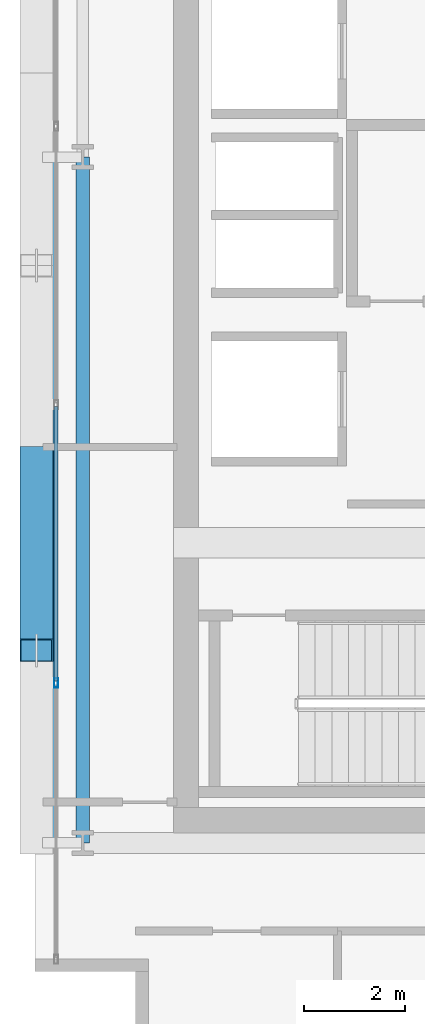
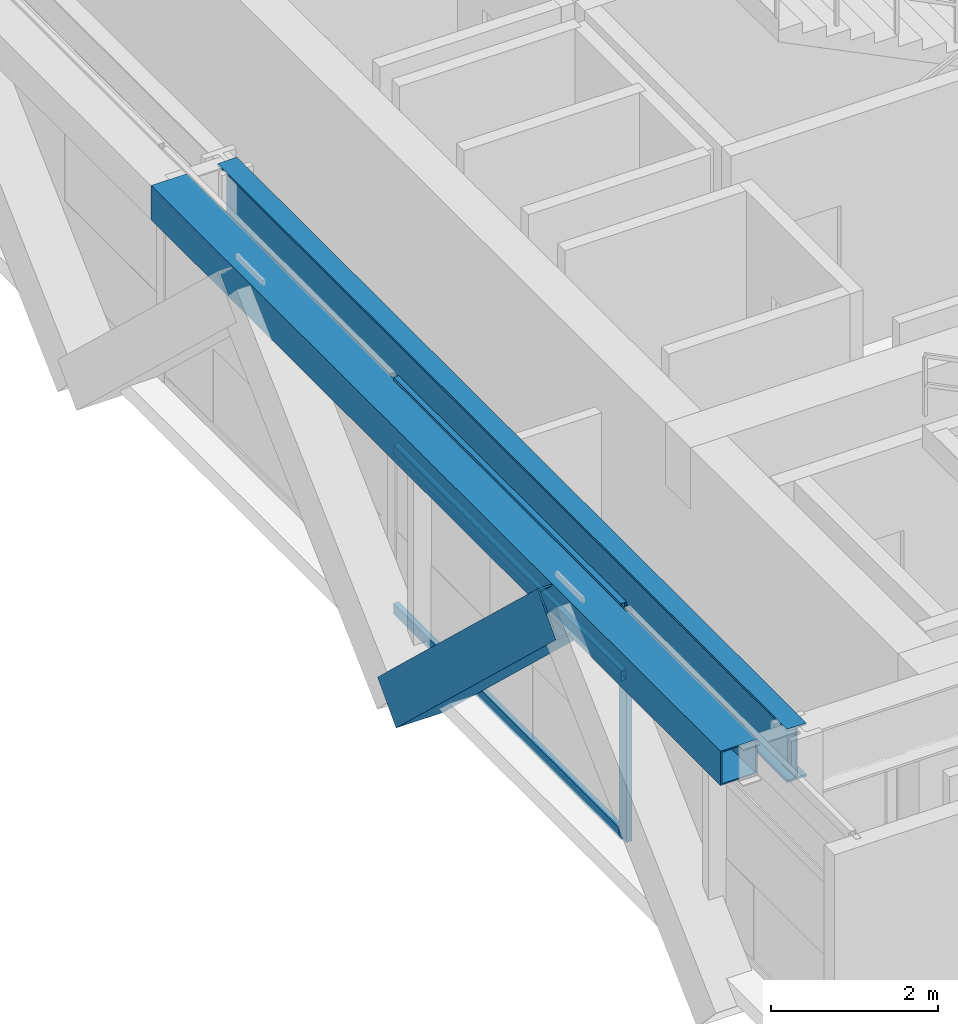
# One storey, part 4 of 31: 5 members, 2 beams, 1 element without a shape of its own.
"""IFC4 building model written with IfcOpenShell, lengths in metres."""

from ifc_helpers import new_model, si_unit, direction, frame, origin, origin_2d, place, context, subcontext, project, spatial, hollow_rectangle, i_section, extrude, source, transform, mapped, material, layer, layer_set, material_profile, profile_set, type_object, element, aggregate, save


model = new_model("IFC4")

# Units and contexts
model_context = context("Model", 3, precision=1e-05, world=origin(), true_north=direction((0.0, 1.0)))
body_context = subcontext(model_context, "Body", "Model", "MODEL_VIEW")
ifc_project = project(units=[si_unit("LENGTHUNIT", "METRE"), si_unit("AREAUNIT", "SQUARE_METRE"), si_unit("VOLUMEUNIT", "CUBIC_METRE"), si_unit("PLANEANGLEUNIT", "RADIAN"), si_unit("MASSUNIT", "GRAM", prefix="KILO")], contexts=[model_context])

# Site, building, storey
site_placement = place(None, origin())
site = spatial("IfcSite", under=ifc_project, at=site_placement, CompositionType="ELEMENT")
building_placement = place(site_placement, origin())
building = spatial("IfcBuilding", under=site, at=building_placement, Name="Ocotamira Hotel", CompositionType="ELEMENT")
storey_placement = place(building_placement, frame((0.0, 0.0, 181.199951171875)))
storey = spatial("IfcBuildingStorey", under=building, at=storey_placement, Name="L45", CompositionType="ELEMENT", Elevation=181.199951171875)

# Beams
ifc_material_1 = material(Name="Steel ASTM A992 Grade 50", Category="steel")
ifc_material_profile_1 = material_profile(ifc_material_1, i_section(OverallWidth=0.26611328125, OverallDepth=0.779052734375, WebThickness=0.0166015625, FlangeThickness=0.030029296875, FilletRadius=0.01806640625, at=origin_2d()), Name="W30X148")
ifc_profile_set_1 = profile_set([ifc_material_profile_1], Name="Steel ASTM A992 Grade 50")
beam_type_1 = type_object("IfcBeamType", Name="BM-GIRD-W30X148", PredefinedType="BEAM", material=ifc_profile_set_1)
shared_shape_1 = source(origin(), body_context, "Body", "SweptSolid", [
    extrude(i_section(OverallWidth=0.26611328125, OverallDepth=0.779052734375, WebThickness=0.0166015625, FlangeThickness=0.030029296875, FilletRadius=0.01806640625, at=origin_2d()), origin(), (0.0, 0.0, 1.0), 13.599853515625),
])
beam_1_placement = place(storey_placement, frame((8.949951171875, 14.550048828125, 2.98046875), z_axis=(0.0, 1.0, 0.0), x_axis=(-1.0, 0.0, 0.0)))
element("IfcBeam", 1, at=beam_1_placement, inside=storey, type_object=beam_type_1, Name="L45 Beam X8.95 Y14.55-28.15", PredefinedType="BEAM", context=body_context, shape_type="MappedRepresentation", body=[
    mapped(shared_shape_1, transform((0.0, 0.0, 0.0), scale=1.0)),
])
ifc_material_2 = material(Name="Steel ASTM A500 Grade C", Category="steel")
ifc_material_profile_2 = material_profile(ifc_material_2, hollow_rectangle(XDim=0.5, YDim=0.5, WallThickness=0.02001953125, at=origin_2d()), Name="HSS500X500X20")
ifc_profile_set_2 = profile_set([ifc_material_profile_2], Name="Steel ASTM A500 Grade C")
beam_type_2 = type_object("IfcBeamType", Name="BM-SPAN-HSS500", PredefinedType="USERDEFINED", material=ifc_profile_set_2)
shared_shape_2 = source(origin(), body_context, "Body", "SweptSolid", [
    extrude(hollow_rectangle(XDim=0.5, YDim=0.5, WallThickness=0.02001953125, at=origin_2d()), origin(), (0.0, 0.0, 1.0), 13.599853515625),
])
beam_2_placement = place(storey_placement, frame((8.14990234375, 14.550048828125, 3.1201171875), z_axis=(0.0, 1.0, 0.0), x_axis=(-1.0, 0.0, 0.0)))
element("IfcBeam", 2, at=beam_2_placement, inside=storey, type_object=beam_type_2, Name="L45 Edge Spandrel W Y14.55-28.15", ObjectType="SPANDREL", PredefinedType="USERDEFINED", context=body_context, shape_type="MappedRepresentation", body=[
    mapped(shared_shape_2, transform((0.0, 0.0, 0.0), scale=1.0)),
])

# Member
ifc_material_3 = material(Name="Pale-metal coated steel ASTM A913 Grade 65", Category="steel")
ifc_material_profile_3 = material_profile(ifc_material_3, hollow_rectangle(XDim=0.64990234375, YDim=0.64990234375, WallThickness=0.02197265625, at=origin_2d()), Name="BOX650X650X22")
ifc_profile_set_3 = profile_set([ifc_material_profile_3], Name="Pale-metal coated steel ASTM A913 Grade 65")
member_type_1 = type_object("IfcMemberType", Name="MEM-EXO-BOX650", PredefinedType="BRACE", material=ifc_profile_set_3)
shared_shape_3 = source(origin(), body_context, "Body", "SweptSolid", [
    extrude(hollow_rectangle(XDim=0.64990234375, YDim=0.64990234375, WallThickness=0.02197265625, at=origin_2d()), origin(), (0.0, 0.0, 1.0), 5.24658203125),
])
member_1_placement = place(storey_placement, frame((8.030029296875, 22.183349609375, -0.47998046875), z_axis=(0.0, -0.727442733726, 0.686168397078), x_axis=(1.0, 0.0, 0.0)))
element("IfcMember", 3, at=member_1_placement, inside=storey, type_object=member_type_1, Name="L45 Exoskeleton Diagrid W0.2", PredefinedType="BRACE", context=body_context, shape_type="MappedRepresentation", body=[
    mapped(shared_shape_3, transform((0.0, 0.0, 0.0), scale=1.0)),
])

# Curtain wall, members
ifc_material_4 = material(Name="Anodised pale-metal aluminium and solar glass", Category="aluminium")
ifc_layer = layer(ifc_material_4, 0.199951171875)
ifc_layer_set = layer_set([ifc_layer], Name="Anodised pale-metal aluminium and solar glass")
curtain_wall_type = type_object("IfcCurtainWallType", Name="CW-SYS4-Z3", PredefinedType="NOTDEFINED", material=ifc_layer_set)
curtain_wall_placement = place(storey_placement, origin())
curtain_wall = element("IfcCurtainWall", 4, at=curtain_wall_placement, inside=storey, type_object=curtain_wall_type, Name="L45 Curtain Wall CW-4 CW-L45-W", PredefinedType="NOTDEFINED")
ifc_material_5 = material(Name="Anodised pale-metal aluminium 6063-T6", Category="aluminium")
ifc_material_profile_4 = material_profile(ifc_material_5, hollow_rectangle(XDim=0.080078125, YDim=0.179931640625, WallThickness=0.006103515625, at=origin_2d()), Name="HSS180X80X6")
ifc_profile_set_4 = profile_set([ifc_material_profile_4], Name="Anodised pale-metal aluminium 6063-T6")
member_type_2 = type_object("IfcMemberType", Name="CWM-180X75", PredefinedType="MULLION", material=ifc_profile_set_4)
shared_shape_4 = source(origin(), body_context, "Body", "SweptSolid", [
    extrude(hollow_rectangle(XDim=0.080078125, YDim=0.179931640625, WallThickness=0.006103515625, at=origin_2d()), origin(), (0.0, 0.0, 1.0), 3.3701171875),
])
member_2_placement = place(storey_placement, frame((8.419921875, 17.719970703125, 0.0), z_axis=(0.0, 0.0, 1.0), x_axis=(-1.0, 0.0, 0.0)))
member_2 = element("IfcMember", 5, at=member_2_placement, type_object=member_type_2, Name="CW-4 mullion 2", PredefinedType="MULLION", context=body_context, shape_type="MappedRepresentation", body=[
    mapped(shared_shape_4, transform((0.0, 0.0, 0.0), scale=1.0)),
])
ifc_material_profile_5 = material_profile(ifc_material_5, hollow_rectangle(XDim=0.074951171875, YDim=0.14990234375, WallThickness=0.006103515625, at=origin_2d()), Name="HSS150X75X6")
ifc_profile_set_5 = profile_set([ifc_material_profile_5], Name="Anodised pale-metal aluminium 6063-T6")
member_type_3 = type_object("IfcMemberType", Name="CWT-150X75", PredefinedType="USERDEFINED", material=ifc_profile_set_5)
shared_shape_5 = source(origin(), body_context, "Body", "SweptSolid", [
    extrude(hollow_rectangle(XDim=0.074951171875, YDim=0.14990234375, WallThickness=0.006103515625, at=origin_2d()), origin(), (0.0, 0.0, 1.0), 5.43994140625),
])
member_3_placement = place(storey_placement, frame((8.419921875, 17.760009765625, 0.03759765625), z_axis=(0.0, 1.0, 0.0), x_axis=(-1.0, 0.0, 0.0)))
member_3 = element("IfcMember", 6, at=member_3_placement, type_object=member_type_3, Name="CW-4 transom 2.1", ObjectType="TRANSOM", PredefinedType="USERDEFINED", context=body_context, shape_type="MappedRepresentation", body=[
    mapped(shared_shape_5, transform((0.0, 0.0, 0.0), scale=1.0)),
])
member_4_placement = place(storey_placement, frame((8.419921875, 17.760009765625, 2.35009765625), z_axis=(0.0, 1.0, 0.0), x_axis=(-1.0, 0.0, 0.0)))
member_4 = element("IfcMember", 7, at=member_4_placement, type_object=member_type_3, Name="CW-4 transom 2.2", ObjectType="TRANSOM", PredefinedType="USERDEFINED", context=body_context, shape_type="MappedRepresentation", body=[
    mapped(shared_shape_5, transform((0.0, 0.0, 0.0), scale=1.0)),
])
member_5_placement = place(storey_placement, frame((8.419921875, 17.760009765625, 3.33251953125), z_axis=(0.0, 1.0, 0.0), x_axis=(-1.0, 0.0, 0.0)))
member_5 = element("IfcMember", 8, at=member_5_placement, type_object=member_type_3, Name="CW-4 transom 2.3", ObjectType="TRANSOM", PredefinedType="USERDEFINED", context=body_context, shape_type="MappedRepresentation", body=[
    mapped(shared_shape_5, transform((0.0, 0.0, 0.0), scale=1.0)),
])
aggregate(curtain_wall, [member_2, member_3, member_4, member_5])

save(model, "model.ifc")
